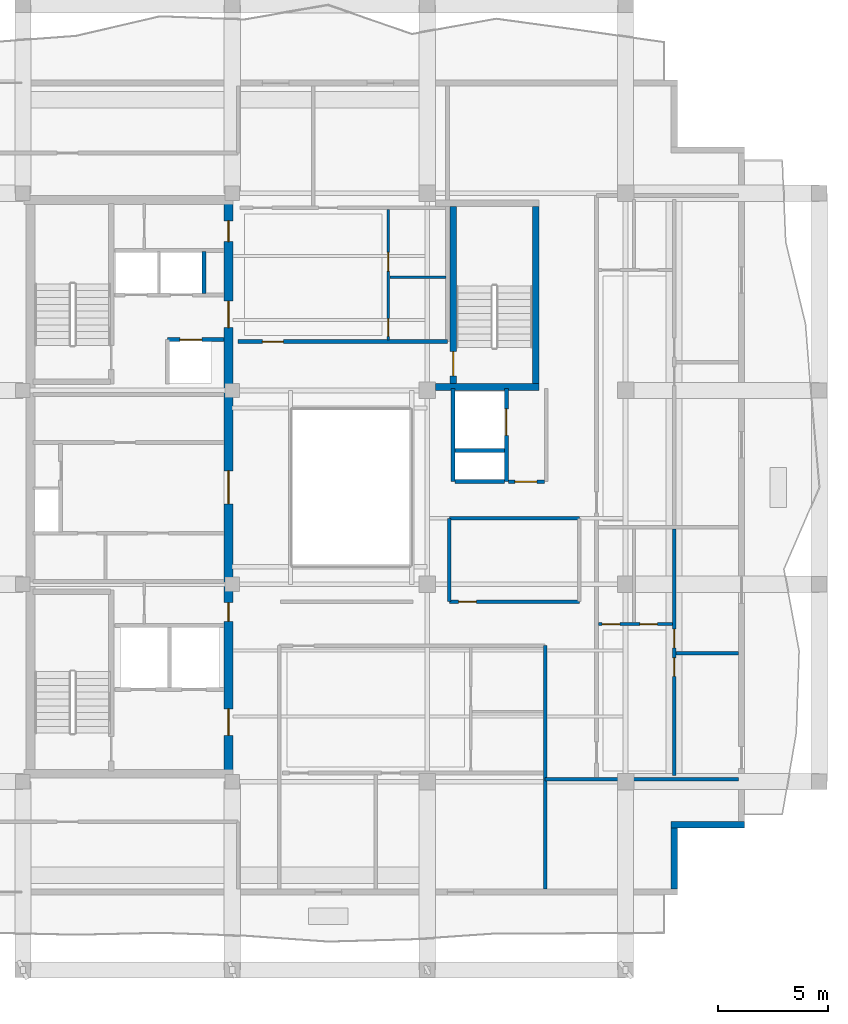
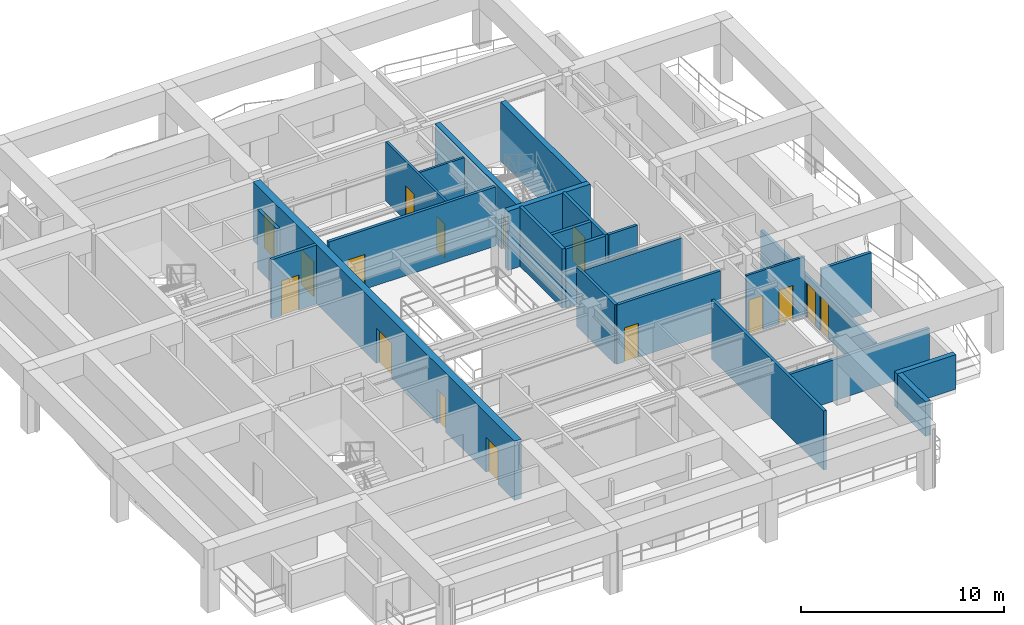
# One storey, part 4 of 10: 24 walls, 17 doors, 17 openings.
"""IFC4 building model written with IfcOpenShell, lengths in metres."""

from ifc_helpers import new_model, si_unit, direction, frame, frame_2d, origin, place, context, subcontext, project, spatial, rectangle, extrude, material, layer, layer_set, type_object, element, fill, save


model = new_model("IFC4")

# Units and contexts
model_context = context("Model", 3, precision=1e-05, world=origin(), true_north=direction((0.0, 1.0)))
body_context = subcontext(model_context, "Body", "Model", "MODEL_VIEW")
ifc_project = project(units=[si_unit("LENGTHUNIT", "METRE"), si_unit("AREAUNIT", "SQUARE_METRE"), si_unit("VOLUMEUNIT", "CUBIC_METRE"), si_unit("PLANEANGLEUNIT", "RADIAN"), si_unit("MASSUNIT", "GRAM", prefix="KILO")], contexts=[model_context])

# Site, building, storey
site_placement = place(None, origin())
site = spatial("IfcSite", under=ifc_project, at=site_placement, CompositionType="ELEMENT")
building_placement = place(site_placement, origin())
building = spatial("IfcBuilding", under=site, at=building_placement, Name="Kundavana Baori Tower", CompositionType="ELEMENT")
storey_placement = place(building_placement, frame((0.0, 0.0, 323.89990234375)))
storey = spatial("IfcBuildingStorey", under=building, at=storey_placement, Name="L80", CompositionType="ELEMENT", Elevation=323.89990234375)

# Wall, openings, doors
ifc_material_1 = material(Name="Concrete C50/60", Category="concrete")
ifc_layer_1 = layer(ifc_material_1, 0.39990234375, Name="WL-CORE-400")
ifc_layer_set_1 = layer_set([ifc_layer_1], Name="Concrete C50/60")
wall_type_1 = type_object("IfcWallType", Name="WL-CORE-400", PredefinedType="SHEAR", material=ifc_layer_set_1)
wall_1_placement = place(storey_placement, frame((24.780029296875, 15.739990234375, 0.0), z_axis=(0.0, 0.0, 1.0), x_axis=(0.0, 1.0, 0.0)))
wall_1 = element("IfcWall", 1, at=wall_1_placement, inside=storey, type_object=wall_type_1, Name="L80 Offset Core East Shear Wall", PredefinedType="SHEAR", context=body_context, shape_type="SweptSolid", body=[
    extrude(rectangle(XDim=25.760009765625, YDim=0.39990234375, at=frame_2d((12.8798828125, 0.0))), origin(), (0.0, 0.0, 1.0), 3.56005859375),
])
opening_1_placement = place(wall_1_placement, frame((1.610107421875, 0.0, 0.0)))
opening_1 = element("IfcOpeningElement", 2, at=opening_1_placement, cuts=wall_1, Name="Opening FD-120", PredefinedType="OPENING", context=body_context, shape_type="SweptSolid", body=[
    extrude(rectangle(XDim=1.199951171875, YDim=2.10009765625, at=frame_2d((0.60009765625, 1.050048828125))), frame((0.0, 0.2099609375, 0.0), z_axis=(0.0, -1.0, 0.0), x_axis=(1.0, 0.0, 0.0)), (0.0, 0.0, 1.0), 0.419921875),
])
opening_2_placement = place(wall_1_placement, frame((6.780029296875, 0.0, 0.0)))
opening_2 = element("IfcOpeningElement", 3, at=opening_2_placement, cuts=wall_1, Name="Opening FD-085", PredefinedType="OPENING", context=body_context, shape_type="SweptSolid", body=[
    extrude(rectangle(XDim=0.85009765625, YDim=2.06005859375, at=frame_2d((0.425048828125, 1.030029296875))), frame((0.0, 0.2099609375, 0.0), z_axis=(0.0, -1.0, 0.0), x_axis=(1.0, 0.0, 0.0)), (0.0, 0.0, 1.0), 0.419921875),
])
opening_3_placement = place(wall_1_placement, frame((12.110107421875, 0.0, 0.0)))
opening_3 = element("IfcOpeningElement", 4, at=opening_3_placement, cuts=wall_1, Name="Opening FD-150", PredefinedType="OPENING", context=body_context, shape_type="SweptSolid", body=[
    extrude(rectangle(XDim=1.5, YDim=2.1201171875, at=frame_2d((0.75, 1.06005859375))), frame((0.0, 0.2099609375, 0.0), z_axis=(0.0, -1.0, 0.0), x_axis=(1.0, 0.0, 0.0)), (0.0, 0.0, 1.0), 0.419921875),
])
opening_4_placement = place(wall_1_placement, frame((20.110107421875, 0.0, 0.0)))
opening_4 = element("IfcOpeningElement", 5, at=opening_4_placement, cuts=wall_1, Name="Opening FD-122", PredefinedType="OPENING", context=body_context, shape_type="SweptSolid", body=[
    extrude(rectangle(XDim=1.199951171875, YDim=2.1201171875, at=frame_2d((0.60009765625, 1.06005859375))), frame((0.0, 0.2099609375, 0.0), z_axis=(0.0, -1.0, 0.0), x_axis=(1.0, 0.0, 0.0)), (0.0, 0.0, 1.0), 0.419921875),
])
opening_5_placement = place(wall_1_placement, frame((24.010009765625, 0.0, 0.0)))
opening_5 = element("IfcOpeningElement", 6, at=opening_5_placement, cuts=wall_1, Name="Opening FD-095", PredefinedType="OPENING", context=body_context, shape_type="SweptSolid", body=[
    extrude(rectangle(XDim=0.949951171875, YDim=2.10009765625, at=frame_2d((0.47509765625, 1.050048828125))), frame((0.0, 0.2099609375, 0.0), z_axis=(0.0, -1.0, 0.0), x_axis=(1.0, 0.0, 0.0)), (0.0, 0.0, 1.0), 0.419921875),
])
ifc_material_2 = material(Name="Galvanised Steel Fire-Rated Door Leaf", Category="steel")
door_type_1 = type_object("IfcDoorType", Name="DR-FD120-1200", OperationType="NOTDEFINED", PredefinedType="DOOR", material=ifc_material_2)
door_1_placement = place(opening_1_placement, frame((1.199951171875, 0.0, 0.0), z_axis=(0.0, 0.0, 1.0), x_axis=(-1.0, 0.0, 0.0)))
door_1 = element("IfcDoor", 7, at=door_1_placement, inside=storey, type_object=door_type_1, Name="DR-L80-FFLOB-E", OperationType="SINGLE_SWING_RIGHT", OverallHeight=2.10009765625, OverallWidth=1.199951171875, PredefinedType="DOOR", context=body_context, shape_type="SweptSolid", body=[
    extrude(rectangle(XDim=1.199951171875, YDim=2.10009765625, at=frame_2d((0.60009765625, 1.050048828125))), frame((0.0, 0.02490234375, 0.0), z_axis=(0.0, -1.0, 0.0), x_axis=(1.0, 0.0, 0.0)), (0.0, 0.0, 1.0), 0.050048828125),
])
fill(opening_1, door_1)
ifc_material_3 = material(Name="Galvanised Steel Fire-Rated Door Leaf", Category="steel")
door_type_2 = type_object("IfcDoorType", Name="DR-FD60-1200", OperationType="NOTDEFINED", PredefinedType="DOOR", material=ifc_material_3)
door_2_placement = place(opening_4_placement, frame((1.199951171875, 0.0, 0.0), z_axis=(0.0, 0.0, 1.0), x_axis=(-1.0, 0.0, 0.0)))
door_2 = element("IfcDoor", 8, at=door_2_placement, inside=storey, type_object=door_type_2, Name="DR-L80-HRLOB-E", OperationType="SINGLE_SWING_RIGHT", OverallHeight=2.1201171875, OverallWidth=1.199951171875, PredefinedType="DOOR", context=body_context, shape_type="SweptSolid", body=[
    extrude(rectangle(XDim=1.199951171875, YDim=2.1201171875, at=frame_2d((0.60009765625, 1.06005859375))), frame((0.0, 0.02490234375, 0.0), z_axis=(0.0, -1.0, 0.0), x_axis=(1.0, 0.0, 0.0)), (0.0, 0.0, 1.0), 0.050048828125),
])
fill(opening_4, door_2)
ifc_material_4 = material(Name="Galvanised Steel Fire-Rated Door Leaf", Category="steel")
door_type_3 = type_object("IfcDoorType", Name="DR-FD60-1500", OperationType="NOTDEFINED", PredefinedType="DOOR", material=ifc_material_4)
door_3_placement = place(opening_3_placement, frame((1.5, 0.0, 0.0), z_axis=(0.0, 0.0, 1.0), x_axis=(-1.0, 0.0, 0.0)))
door_3 = element("IfcDoor", 9, at=door_3_placement, inside=storey, type_object=door_type_3, Name="DR-L80-LIFTHALL-E", OperationType="SINGLE_SWING_LEFT", OverallHeight=2.1201171875, OverallWidth=1.5, PredefinedType="DOOR", context=body_context, shape_type="SweptSolid", body=[
    extrude(rectangle(XDim=1.5, YDim=2.1201171875, at=frame_2d((0.75, 1.06005859375))), frame((0.0, 0.02490234375, 0.0), z_axis=(0.0, -1.0, 0.0), x_axis=(1.0, 0.0, 0.0)), (0.0, 0.0, 1.0), 0.050048828125),
])
fill(opening_3, door_3)
ifc_material_5 = material(Name="Galvanised Steel Fire-Rated Door Leaf", Category="steel")
door_type_4 = type_object("IfcDoorType", Name="DR-FD60-850", OperationType="NOTDEFINED", PredefinedType="DOOR", material=ifc_material_5)
door_4_placement = place(opening_2_placement, frame((0.85009765625, 0.0, 0.0), z_axis=(0.0, 0.0, 1.0), x_axis=(-1.0, 0.0, 0.0)))
door_4 = element("IfcDoor", 10, at=door_4_placement, inside=storey, type_object=door_type_4, Name="DR-L80-CSMK2", OperationType="SINGLE_SWING_LEFT", OverallHeight=2.06005859375, OverallWidth=0.85009765625, PredefinedType="DOOR", context=body_context, shape_type="SweptSolid", body=[
    extrude(rectangle(XDim=0.85009765625, YDim=2.06005859375, at=frame_2d((0.425048828125, 1.030029296875))), frame((0.0, 0.02490234375, 0.0), z_axis=(0.0, -1.0, 0.0), x_axis=(1.0, 0.0, 0.0)), (0.0, 0.0, 1.0), 0.050048828125),
])
fill(opening_2, door_4)
ifc_material_6 = material(Name="Engineered Teak Fire-Rated Timber Door Leaf", Category="wood")
door_type_5 = type_object("IfcDoorType", Name="DR-FD60-950", OperationType="NOTDEFINED", PredefinedType="DOOR", material=ifc_material_6)
door_5_placement = place(opening_5_placement, frame((0.949951171875, 0.0, 0.0), z_axis=(0.0, 0.0, 1.0), x_axis=(-1.0, 0.0, 0.0)))
door_5 = element("IfcDoor", 11, at=door_5_placement, inside=storey, type_object=door_type_5, Name="DR-L80-CSRV2", OperationType="SINGLE_SWING_LEFT", OverallHeight=2.10009765625, OverallWidth=0.949951171875, PredefinedType="DOOR", context=body_context, shape_type="SweptSolid", body=[
    extrude(rectangle(XDim=0.949951171875, YDim=2.10009765625, at=frame_2d((0.47509765625, 1.050048828125))), frame((0.0, 0.02490234375, 0.0), z_axis=(0.0, -1.0, 0.0), x_axis=(1.0, 0.0, 0.0)), (0.0, 0.0, 1.0), 0.050048828125),
])
fill(opening_5, door_5)

# Walls
ifc_material_7 = material(Name="Red-Buff Dholpur Sandstone Cladding on Concrete C40/50", Category="masonry")
ifc_layer_2 = layer(ifc_material_7, 0.280029296875, Name="WL-EXT-SAND-280")
ifc_layer_set_2 = layer_set([ifc_layer_2], Name="Red-Buff Dholpur Sandstone Cladding on Concrete C40/50")
wall_type_2 = type_object("IfcWallType", Name="WL-EXT-SAND-280", PredefinedType="STANDARD", material=ifc_layer_set_2)
wall_2_placement = place(storey_placement, frame((45.010009765625, 10.3798828125, 0.0), z_axis=(0.0, 0.0, 1.0), x_axis=(0.0, 1.0, 0.0)))
element("IfcWall", 12, at=wall_2_placement, inside=storey, type_object=wall_type_2, Name="L80 Exterior Insulated Facade Wall 02", PredefinedType="STANDARD", context=body_context, shape_type="SweptSolid", body=[
    extrude(rectangle(XDim=2.77001953125, YDim=0.280029296875, at=frame_2d((1.385009765625, 0.0))), origin(), (0.0, 0.0, 1.0), 2.080078125),
])
wall_3_placement = place(storey_placement, frame((44.8701171875, 13.2900390625, 0.0), z_axis=(0.0, 0.0, 1.0), x_axis=(1.0, 0.0, 0.0)))
element("IfcWall", 13, at=wall_3_placement, inside=storey, type_object=wall_type_2, Name="L80 Exterior Insulated Facade Wall 03", PredefinedType="STANDARD", context=body_context, shape_type="SweptSolid", body=[
    extrude(rectangle(XDim=3.329833984375, YDim=0.280029296875, at=frame_2d((1.6650390625, 0.0))), origin(), (0.0, 0.0, 1.0), 2.080078125),
])

# Wall, opening, door
ifc_material_8 = material(Name="Fire-Rated Gypsum Drywall on Galvanised Steel Studs", Category="steel")
ifc_layer_3 = layer(ifc_material_8, 0.14990234375, Name="WL-PART-150")
ifc_layer_set_3 = layer_set([ifc_layer_3], Name="Fire-Rated Gypsum Drywall on Galvanised Steel Studs")
wall_type_3 = type_object("IfcWallType", Name="WL-PART-150", PredefinedType="PARTITIONING", material=ifc_layer_set_3)
wall_4_placement = place(storey_placement, frame((37.47998046875, 28.860107421875, 0.0), z_axis=(0.0, 0.0, 1.0), x_axis=(1.0, 0.0, 0.0)))
wall_4 = element("IfcWall", 14, at=wall_4_placement, inside=storey, type_object=wall_type_3, Name="WL-L80-SVLOB-S", PredefinedType="PARTITIONING", context=body_context, shape_type="SweptSolid", body=[
    extrude(rectangle(XDim=1.64013671875, YDim=0.14990234375, at=frame_2d((0.820068359375, 0.0))), origin(), (0.0, 0.0, 1.0), 3.56005859375),
])
opening_6_placement = place(wall_4_placement, frame((0.300048828125, 0.0, 0.0)))
opening_6 = element("IfcOpeningElement", 15, at=opening_6_placement, cuts=wall_4, Name="Opening FD-100", PredefinedType="OPENING", context=body_context, shape_type="SweptSolid", body=[
    extrude(rectangle(XDim=1.0, YDim=2.10009765625, at=frame_2d((0.5, 1.050048828125))), frame((0.0, 0.0849609375, 0.0), z_axis=(0.0, -1.0, 0.0), x_axis=(1.0, 0.0, 0.0)), (0.0, 0.0, 1.0), 0.169921875),
])
ifc_material_9 = material(Name="Engineered Teak Fire-Rated Timber Door Leaf", Category="wood")
door_type_6 = type_object("IfcDoorType", Name="DR-FD60-1000", OperationType="NOTDEFINED", PredefinedType="DOOR", material=ifc_material_9)
door_6_placement = place(opening_6_placement, origin())
door_6 = element("IfcDoor", 16, at=door_6_placement, inside=storey, type_object=door_type_6, Name="DR-L80-SVLOB-OUT", OperationType="SINGLE_SWING_LEFT", OverallHeight=2.10009765625, OverallWidth=1.0, PredefinedType="DOOR", context=body_context, shape_type="SweptSolid", body=[
    extrude(rectangle(XDim=1.0, YDim=2.10009765625, at=frame_2d((0.5, 1.050048828125))), frame((0.0, 0.02490234375, 0.0), z_axis=(0.0, -1.0, 0.0), x_axis=(1.0, 0.0, 0.0)), (0.0, 0.0, 1.0), 0.050048828125),
])
fill(opening_6, door_6)

ifc_material_10 = material(Name="Fire-Rated Gypsum Drywall on Galvanised Steel Studs", Category="steel")
ifc_layer_4 = layer(ifc_material_10, 0.1650390625, Name="WL-PART-165")
ifc_layer_set_4 = layer_set([ifc_layer_4], Name="Fire-Rated Gypsum Drywall on Galvanised Steel Studs")
wall_type_4 = type_object("IfcWallType", Name="WL-PART-165", PredefinedType="PARTITIONING", material=ifc_layer_set_4)
wall_5_placement = place(storey_placement, frame((25.219970703125, 35.219970703125, 0.0), z_axis=(0.0, 0.0, 1.0), x_axis=(1.0, 0.0, 0.0)))
wall_5 = element("IfcWall", 17, at=wall_5_placement, inside=storey, type_object=wall_type_4, Name="WL-L80-RN", PredefinedType="PARTITIONING", context=body_context, shape_type="SweptSolid", body=[
    extrude(rectangle(XDim=9.5, YDim=0.1650390625, at=frame_2d((4.75, 0.0))), origin(), (0.0, 0.0, 1.0), 3.56005859375),
])
opening_7_placement = place(wall_5_placement, frame((1.10009765625, 0.0, 0.0)))
opening_7 = element("IfcOpeningElement", 18, at=opening_7_placement, cuts=wall_5, Name="Opening FD-095", PredefinedType="OPENING", context=body_context, shape_type="SweptSolid", body=[
    extrude(rectangle(XDim=0.949951171875, YDim=2.10009765625, at=frame_2d((0.47509765625, 1.050048828125))), frame((0.0, 0.092529296875, 0.0), z_axis=(0.0, -1.0, 0.0), x_axis=(1.0, 0.0, 0.0)), (0.0, 0.0, 1.0), 0.18505859375),
])
door_7_placement = place(opening_7_placement, origin())
door_7 = element("IfcDoor", 19, at=door_7_placement, inside=storey, type_object=door_type_5, Name="DR-L80-N1-ENT", OperationType="SINGLE_SWING_LEFT", OverallHeight=2.10009765625, OverallWidth=0.949951171875, PredefinedType="DOOR", context=body_context, shape_type="SweptSolid", body=[
    extrude(rectangle(XDim=0.949951171875, YDim=2.10009765625, at=frame_2d((0.47509765625, 1.050048828125))), frame((0.0, 0.02490234375, 0.0), z_axis=(0.0, -1.0, 0.0), x_axis=(1.0, 0.0, 0.0)), (0.0, 0.0, 1.0), 0.050048828125),
])
fill(opening_7, door_7)

# Walls
wall_6_placement = place(storey_placement, frame((39.14990234375, 10.3798828125, 0.0), z_axis=(0.0, 0.0, 1.0), x_axis=(0.0, 1.0, 0.0)))
element("IfcWall", 20, at=wall_6_placement, inside=storey, type_object=wall_type_4, Name="WL-L80-RSEND", PredefinedType="PARTITIONING", context=body_context, shape_type="SweptSolid", body=[
    extrude(rectangle(XDim=11.0400390625, YDim=0.1650390625, at=frame_2d((5.52001953125, 0.0))), origin(), (0.0, 0.0, 1.0), 3.56005859375),
])
wall_7_placement = place(storey_placement, frame((39.14990234375, 15.35009765625, 0.0), z_axis=(0.0, 0.0, 1.0), x_axis=(1.0, 0.0, 0.0)))
element("IfcWall", 21, at=wall_7_placement, inside=storey, type_object=wall_type_4, Name="WL-L80-RES", PredefinedType="PARTITIONING", context=body_context, shape_type="SweptSolid", body=[
    extrude(rectangle(XDim=8.77001953125, YDim=0.1650390625, at=frame_2d((4.385009765625, 0.0))), origin(), (0.0, 0.0, 1.0), 2.47998046875),
])

# Wall, openings, doors
wall_8_placement = place(storey_placement, frame((45.00390625, 15.530029296875, 0.0), z_axis=(0.0, 0.0, 1.0), x_axis=(0.0, 1.0, 0.0)))
wall_8 = element("IfcWall", 22, at=wall_8_placement, inside=storey, type_object=wall_type_4, Name="WL-L80-E1-VT", PredefinedType="PARTITIONING", context=body_context, shape_type="SweptSolid", body=[
    extrude(rectangle(XDim=11.18994140625, YDim=0.1650390625, at=frame_2d((5.594970703125, 0.0))), origin(), (0.0, 0.0, 1.0), 2.47998046875),
])
opening_8_placement = place(wall_8_placement, frame((4.489990234375, 0.0, 0.0)))
opening_8 = element("IfcOpeningElement", 23, at=opening_8_placement, cuts=wall_8, Name="Opening ID-085", PredefinedType="OPENING", context=body_context, shape_type="SweptSolid", body=[
    extrude(rectangle(XDim=0.85009765625, YDim=2.080078125, at=frame_2d((0.425048828125, 1.0400390625))), frame((0.0, 0.092529296875, 0.0), z_axis=(0.0, -1.0, 0.0), x_axis=(1.0, 0.0, 0.0)), (0.0, 0.0, 1.0), 0.18505859375),
])
opening_9_placement = place(wall_8_placement, frame((5.7900390625, 0.0, 0.0)))
opening_9 = element("IfcOpeningElement", 24, at=opening_9_placement, cuts=wall_8, Name="Opening ID-085", PredefinedType="OPENING", context=body_context, shape_type="SweptSolid", body=[
    extrude(rectangle(XDim=0.85009765625, YDim=2.080078125, at=frame_2d((0.425048828125, 1.0400390625))), frame((0.0, 0.092529296875, 0.0), z_axis=(0.0, -1.0, 0.0), x_axis=(1.0, 0.0, 0.0)), (0.0, 0.0, 1.0), 0.18505859375),
])
ifc_material_11 = material(Name="Engineered Teak Solid-Core Timber Veneer", Category="wood")
door_type_7 = type_object("IfcDoorType", Name="DR-INT-850", OperationType="NOTDEFINED", PredefinedType="DOOR", material=ifc_material_11)
door_8_placement = place(opening_8_placement, origin())
door_8 = element("IfcDoor", 25, at=door_8_placement, inside=storey, type_object=door_type_7, Name="DR-L80-E1-B1", OperationType="SINGLE_SWING_LEFT", OverallHeight=2.080078125, OverallWidth=0.85009765625, PredefinedType="DOOR", context=body_context, shape_type="SweptSolid", body=[
    extrude(rectangle(XDim=0.85009765625, YDim=2.080078125, at=frame_2d((0.425048828125, 1.0400390625))), frame((0.0, 0.02490234375, 0.0), z_axis=(0.0, -1.0, 0.0), x_axis=(1.0, 0.0, 0.0)), (0.0, 0.0, 1.0), 0.050048828125),
])
fill(opening_8, door_8)
door_9_placement = place(opening_9_placement, origin())
door_9 = element("IfcDoor", 26, at=door_9_placement, inside=storey, type_object=door_type_7, Name="DR-L80-E1-B2", OperationType="SINGLE_SWING_RIGHT", OverallHeight=2.080078125, OverallWidth=0.85009765625, PredefinedType="DOOR", context=body_context, shape_type="SweptSolid", body=[
    extrude(rectangle(XDim=0.85009765625, YDim=2.080078125, at=frame_2d((0.425048828125, 1.0400390625))), frame((0.0, 0.02490234375, 0.0), z_axis=(0.0, -1.0, 0.0), x_axis=(1.0, 0.0, 0.0)), (0.0, 0.0, 1.0), 0.050048828125),
])
fill(opening_9, door_9)

# Wall
wall_9_placement = place(storey_placement, frame((45.083984375, 21.070068359375, 0.0), z_axis=(0.0, 0.0, 1.0), x_axis=(1.0, 0.0, 0.0)))
element("IfcWall", 27, at=wall_9_placement, inside=storey, type_object=wall_type_4, Name="WL-L80-E1-BDH", PredefinedType="PARTITIONING", context=body_context, shape_type="SweptSolid", body=[
    extrude(rectangle(XDim=2.8359375, YDim=0.1650390625, at=frame_2d((1.41796875, 0.0))), origin(), (0.0, 0.0, 1.0), 3.56005859375),
])

# Wall, opening, door
wall_10_placement = place(storey_placement, frame((34.800048828125, 23.419921875, 0.0), z_axis=(0.0, 0.0, 1.0), x_axis=(1.0, 0.0, 0.0)))
wall_10 = element("IfcWall", 28, at=wall_10_placement, inside=storey, type_object=wall_type_4, Name="WL-L80-ALS", PredefinedType="PARTITIONING", context=body_context, shape_type="SweptSolid", body=[
    extrude(rectangle(XDim=5.89990234375, YDim=0.1650390625, at=frame_2d((2.949951171875, 0.0))), origin(), (0.0, 0.0, 1.0), 3.56005859375),
])
opening_10_placement = place(wall_10_placement, frame((0.429931640625, 0.0, 0.0)))
opening_10 = element("IfcOpeningElement", 29, at=opening_10_placement, cuts=wall_10, Name="Opening WD-080", PredefinedType="OPENING", context=body_context, shape_type="SweptSolid", body=[
    extrude(rectangle(XDim=0.800048828125, YDim=2.050048828125, at=frame_2d((0.39990234375, 1.02490234375))), frame((0.0, 0.092529296875, 0.0), z_axis=(0.0, -1.0, 0.0), x_axis=(1.0, 0.0, 0.0)), (0.0, 0.0, 1.0), 0.18505859375),
])
ifc_material_12 = material(Name="Engineered Teak Solid-Core Timber Veneer", Category="wood")
door_type_8 = type_object("IfcDoorType", Name="DR-WET-800", OperationType="NOTDEFINED", PredefinedType="DOOR", material=ifc_material_12)
door_10_placement = place(opening_10_placement, origin())
door_10 = element("IfcDoor", 30, at=door_10_placement, inside=storey, type_object=door_type_8, Name="DR-L80-RALC1", OperationType="SINGLE_SWING_LEFT", OverallHeight=2.050048828125, OverallWidth=0.800048828125, PredefinedType="DOOR", context=body_context, shape_type="SweptSolid", body=[
    extrude(rectangle(XDim=0.800048828125, YDim=2.050048828125, at=frame_2d((0.39990234375, 1.02490234375))), frame((0.0, 0.02490234375, 0.0), z_axis=(0.0, -1.0, 0.0), x_axis=(1.0, 0.0, 0.0)), (0.0, 0.0, 1.0), 0.050048828125),
])
fill(opening_10, door_10)

# Walls
wall_11_placement = place(storey_placement, frame((34.800048828125, 27.199951171875, 0.0), z_axis=(0.0, 0.0, 1.0), x_axis=(1.0, 0.0, 0.0)))
element("IfcWall", 31, at=wall_11_placement, inside=storey, type_object=wall_type_4, Name="WL-L80-ALN", PredefinedType="PARTITIONING", context=body_context, shape_type="SweptSolid", body=[
    extrude(rectangle(XDim=5.89990234375, YDim=0.1650390625, at=frame_2d((2.949951171875, 0.0))), origin(), (0.0, 0.0, 1.0), 3.260009765625),
])
wall_12_placement = place(storey_placement, frame((34.800048828125, 23.419921875, 0.0), z_axis=(0.0, 0.0, 1.0), x_axis=(0.0, 1.0, 0.0)))
element("IfcWall", 32, at=wall_12_placement, inside=storey, type_object=wall_type_4, Name="WL-L80-ALW", PredefinedType="PARTITIONING", context=body_context, shape_type="SweptSolid", body=[
    extrude(rectangle(XDim=3.780029296875, YDim=0.1650390625, at=frame_2d((1.89013671875, 0.0))), origin(), (0.0, 0.0, 1.0), 3.56005859375),
])

# Wall, opening, door
ifc_material_13 = material(Name="Autoclaved Aerated Concrete Blockwork Masonry", Category="masonry")
ifc_layer_5 = layer(ifc_material_13, 0.179931640625, Name="WL-SHAFT-180")
ifc_layer_set_5 = layer_set([ifc_layer_5], Name="Autoclaved Aerated Concrete Blockwork Masonry")
wall_type_5 = type_object("IfcWallType", Name="WL-SHAFT-180", PredefinedType="SOLIDWALL", material=ifc_layer_set_5)
wall_13_placement = place(storey_placement, frame((22.02001953125, 35.31005859375, 0.0), z_axis=(0.0, 0.0, 1.0), x_axis=(1.0, 0.0, 0.0)))
wall_13 = element("IfcWall", 33, at=wall_13_placement, inside=storey, type_object=wall_type_5, Name="WL-L80-LP11-N", PredefinedType="SOLIDWALL", context=body_context, shape_type="SweptSolid", body=[
    extrude(rectangle(XDim=2.56005859375, YDim=0.179931640625, at=frame_2d((1.280029296875, 0.0))), origin(), (0.0, 0.0, 1.0), 3.56005859375),
])
opening_11_placement = place(wall_13_placement, frame((0.550048828125, 0.0, 0.0)))
opening_11 = element("IfcOpeningElement", 34, at=opening_11_placement, cuts=wall_13, Name="Opening LD-100", PredefinedType="OPENING", context=body_context, shape_type="SweptSolid", body=[
    extrude(rectangle(XDim=1.0, YDim=2.10009765625, at=frame_2d((0.5, 1.050048828125))), frame((0.0, 0.10009765625, 0.0), z_axis=(0.0, -1.0, 0.0), x_axis=(1.0, 0.0, 0.0)), (0.0, 0.0, 1.0), 0.199951171875),
])
ifc_material_14 = material(Name="Galvanised Steel Fire-Rated Door Leaf", Category="steel")
door_type_9 = type_object("IfcDoorType", Name="DR-SLIDE-LD1000", OperationType="NOTDEFINED", PredefinedType="DOOR", material=ifc_material_14)
door_11_placement = place(opening_11_placement, origin())
door_11 = element("IfcDoor", 35, at=door_11_placement, inside=storey, type_object=door_type_9, Name="DR-L80-LD-LP11", OperationType="DOUBLE_DOOR_SLIDING", OverallHeight=2.10009765625, OverallWidth=1.0, PredefinedType="DOOR", context=body_context, shape_type="SweptSolid", body=[
    extrude(rectangle(XDim=1.0, YDim=2.10009765625, at=frame_2d((0.5, 1.050048828125))), frame((0.0, 0.02490234375, 0.0), z_axis=(0.0, -1.0, 0.0), x_axis=(1.0, 0.0, 0.0)), (0.0, 0.0, 1.0), 0.050048828125),
])
fill(opening_11, door_11)

# Walls
wall_14_placement = place(storey_placement, frame((23.659912109375, 37.39990234375, 0.0), z_axis=(0.0, 0.0, 1.0), x_axis=(0.0, 1.0, 0.0)))
element("IfcWall", 36, at=wall_14_placement, inside=storey, type_object=wall_type_5, Name="WL-L80-HR-DIV2", PredefinedType="SOLIDWALL", context=body_context, shape_type="SweptSolid", body=[
    extrude(rectangle(XDim=1.900146484375, YDim=0.179931640625, at=frame_2d((0.9501953125, 0.0))), origin(), (0.0, 0.0, 1.0), 3.56005859375),
])
wall_15_placement = place(storey_placement, frame((34.9599609375, 28.860107421875, 0.0), z_axis=(0.0, 0.0, 1.0), x_axis=(0.0, 1.0, 0.0)))
element("IfcWall", 37, at=wall_15_placement, inside=storey, type_object=wall_type_5, Name="WL-L80-SVL-W", PredefinedType="SOLIDWALL", context=body_context, shape_type="SweptSolid", body=[
    extrude(rectangle(XDim=4.219970703125, YDim=0.179931640625, at=frame_2d((2.10986328125, 0.0))), origin(), (0.0, 0.0, 1.0), 3.56005859375),
])

# Wall, opening, door
wall_16_placement = place(storey_placement, frame((37.389892578125, 28.860107421875, 0.0), z_axis=(0.0, 0.0, 1.0), x_axis=(0.0, 1.0, 0.0)))
wall_16 = element("IfcWall", 38, at=wall_16_placement, inside=storey, type_object=wall_type_5, Name="WL-L80-SVL-E", PredefinedType="SOLIDWALL", context=body_context, shape_type="SweptSolid", body=[
    extrude(rectangle(XDim=4.219970703125, YDim=0.179931640625, at=frame_2d((2.10986328125, 0.0))), origin(), (0.0, 0.0, 1.0), 3.56005859375),
])
opening_12_placement = place(wall_16_placement, frame((2.10009765625, 0.0, 0.0)))
opening_12 = element("IfcOpeningElement", 39, at=opening_12_placement, cuts=wall_16, Name="Opening LD-120", PredefinedType="OPENING", context=body_context, shape_type="SweptSolid", body=[
    extrude(rectangle(XDim=1.199951171875, YDim=2.1201171875, at=frame_2d((0.60009765625, 1.06005859375))), frame((0.0, 0.10009765625, 0.0), z_axis=(0.0, -1.0, 0.0), x_axis=(1.0, 0.0, 0.0)), (0.0, 0.0, 1.0), 0.199951171875),
])
ifc_material_15 = material(Name="Galvanised Steel Fire-Rated Door Leaf", Category="steel")
door_type_10 = type_object("IfcDoorType", Name="DR-SLIDE-LD1200", OperationType="NOTDEFINED", PredefinedType="DOOR", material=ifc_material_15)
door_12_placement = place(opening_12_placement, frame((1.199951171875, 0.0, 0.0), z_axis=(0.0, 0.0, 1.0), x_axis=(-1.0, 0.0, 0.0)))
door_12 = element("IfcDoor", 40, at=door_12_placement, inside=storey, type_object=door_type_10, Name="DR-L80-LD-SVL1", OperationType="DOUBLE_DOOR_SLIDING", OverallHeight=2.1201171875, OverallWidth=1.199951171875, PredefinedType="DOOR", context=body_context, shape_type="SweptSolid", body=[
    extrude(rectangle(XDim=1.199951171875, YDim=2.1201171875, at=frame_2d((0.60009765625, 1.06005859375))), frame((0.0, 0.02490234375, 0.0), z_axis=(0.0, -1.0, 0.0), x_axis=(1.0, 0.0, 0.0)), (0.0, 0.0, 1.0), 0.050048828125),
])
fill(opening_12, door_12)

# Walls
for number, where, z_axis, x_axis, name in (
    (41, (35.050048828125, 28.860107421875, 0.0), (0.0, 0.0, 1.0), (1.0, 0.0, 0.0), "WL-L80-SVL-S"),
    (42, (35.050048828125, 30.27001953125, 0.0), (0.0, 0.0, 1.0), (1.0, 0.0, 0.0), "WL-L80-SVL-M"),
):
    element("IfcWall", number, at=place(storey_placement, frame(where, z_axis=z_axis, x_axis=x_axis)), inside=storey, type_object=wall_type_5, Name=name, PredefinedType="SOLIDWALL", context=body_context, shape_type="SweptSolid", body=[
        extrude(rectangle(XDim=2.25, YDim=0.179931640625, at=frame_2d((1.125, 0.0))), origin(), (0.0, 0.0, 1.0), 3.56005859375),
    ])
ifc_material_16 = material(Name="Concrete C50/60", Category="concrete")
ifc_layer_6 = layer(ifc_material_16, 0.300048828125, Name="WL-ST3-300")
ifc_layer_set_6 = layer_set([ifc_layer_6], Name="Concrete C50/60")
wall_type_6 = type_object("IfcWallType", Name="WL-ST3-300", PredefinedType="SHEAR", material=ifc_layer_set_6)
wall_17_placement = place(storey_placement, frame((34.175048828125, 33.159912109375, 0.0), z_axis=(0.0, 0.0, 1.0), x_axis=(1.0, 0.0, 0.0)))
element("IfcWall", 43, at=wall_17_placement, inside=storey, type_object=wall_type_6, Name="L80 Stair ST3 South Shear Wall", PredefinedType="SHEAR", context=body_context, shape_type="SweptSolid", body=[
    extrude(rectangle(XDim=4.695068359375, YDim=0.300048828125, at=frame_2d((2.34765625, 0.0))), origin(), (0.0, 0.0, 1.0), 3.56005859375),
])

# Wall, opening, door
wall_18_placement = place(storey_placement, frame((34.97998046875, 33.31005859375, 0.0), z_axis=(0.0, 0.0, 1.0), x_axis=(0.0, 1.0, 0.0)))
wall_18 = element("IfcWall", 44, at=wall_18_placement, inside=storey, type_object=wall_type_6, Name="L80 Stair ST3 West Shear Wall", PredefinedType="SHEAR", context=body_context, shape_type="SweptSolid", body=[
    extrude(rectangle(XDim=8.030029296875, YDim=0.300048828125, at=frame_2d((4.01513671875, 0.0))), origin(), (0.0, 0.0, 1.0), 3.56005859375),
])
opening_13_placement = place(wall_18_placement, frame((0.35009765625, 0.0, 0.0)))
opening_13 = element("IfcOpeningElement", 45, at=opening_13_placement, cuts=wall_18, Name="Opening FD-110", PredefinedType="OPENING", context=body_context, shape_type="SweptSolid", body=[
    extrude(rectangle(XDim=1.10009765625, YDim=2.10009765625, at=frame_2d((0.550048828125, 1.050048828125))), frame((0.0, 0.16015625, 0.0), z_axis=(0.0, -1.0, 0.0), x_axis=(1.0, 0.0, 0.0)), (0.0, 0.0, 1.0), 0.320068359375),
])
ifc_material_17 = material(Name="Galvanised Steel Fire-Rated Door Leaf", Category="steel")
door_type_11 = type_object("IfcDoorType", Name="DR-FD120-1100", OperationType="NOTDEFINED", PredefinedType="DOOR", material=ifc_material_17)
door_13_placement = place(opening_13_placement, origin())
door_13 = element("IfcDoor", 46, at=door_13_placement, inside=storey, type_object=door_type_11, Name="DR-L80-ST3-W", OperationType="SINGLE_SWING_LEFT", OverallHeight=2.10009765625, OverallWidth=1.10009765625, PredefinedType="DOOR", context=body_context, shape_type="SweptSolid", body=[
    extrude(rectangle(XDim=1.10009765625, YDim=2.10009765625, at=frame_2d((0.550048828125, 1.050048828125))), frame((0.0, 0.02490234375, 0.0), z_axis=(0.0, -1.0, 0.0), x_axis=(1.0, 0.0, 0.0)), (0.0, 0.0, 1.0), 0.050048828125),
])
fill(opening_13, door_13)

# Wall
wall_19_placement = place(storey_placement, frame((38.719970703125, 33.31005859375, 0.0), z_axis=(0.0, 0.0, 1.0), x_axis=(0.0, 1.0, 0.0)))
element("IfcWall", 47, at=wall_19_placement, inside=storey, type_object=wall_type_6, Name="L80 Stair ST3 East Shear Wall", PredefinedType="SHEAR", context=body_context, shape_type="SweptSolid", body=[
    extrude(rectangle(XDim=8.030029296875, YDim=0.300048828125, at=frame_2d((4.01513671875, 0.0))), origin(), (0.0, 0.0, 1.0), 3.56005859375),
])

# Wall, openings, doors
ifc_material_18 = material(Name="Autoclaved Aerated Concrete Blockwork Masonry", Category="masonry")
ifc_layer_7 = layer(ifc_material_18, 0.125, Name="WL-WET-120")
ifc_layer_set_7 = layer_set([ifc_layer_7], Name="Autoclaved Aerated Concrete Blockwork Masonry")
wall_type_7 = type_object("IfcWallType", Name="WL-WET-120", PredefinedType="PLUMBINGWALL", material=ifc_layer_set_7)
wall_20_placement = place(storey_placement, frame((32.02490234375, 35.300048828125, 0.0), z_axis=(0.0, 0.0, 1.0), x_axis=(0.0, 1.0, 0.0)))
wall_20 = element("IfcWall", 48, at=wall_20_placement, inside=storey, type_object=wall_type_7, Name="WL-L80-N1-KT", PredefinedType="PLUMBINGWALL", context=body_context, shape_type="SweptSolid", body=[
    extrude(rectangle(XDim=5.909912109375, YDim=0.125, at=frame_2d((2.955078125, 0.0))), origin(), (0.0, 0.0, 1.0), 3.56005859375),
])
opening_14_placement = place(wall_20_placement, frame((0.159912109375, 0.0, 0.0)))
opening_14 = element("IfcOpeningElement", 49, at=opening_14_placement, cuts=wall_20, Name="Opening WD-080", PredefinedType="OPENING", context=body_context, shape_type="SweptSolid", body=[
    extrude(rectangle(XDim=0.800048828125, YDim=2.050048828125, at=frame_2d((0.39990234375, 1.02490234375))), frame((0.0, 0.072509765625, 0.0), z_axis=(0.0, -1.0, 0.0), x_axis=(1.0, 0.0, 0.0)), (0.0, 0.0, 1.0), 0.14501953125),
])
opening_15_placement = place(wall_20_placement, frame((3.116943359375, 0.0, 0.0)))
opening_15 = element("IfcOpeningElement", 50, at=opening_15_placement, cuts=wall_20, Name="Opening ID-085", PredefinedType="OPENING", context=body_context, shape_type="SweptSolid", body=[
    extrude(rectangle(XDim=0.85009765625, YDim=2.080078125, at=frame_2d((0.425048828125, 1.0400390625))), frame((0.0, 0.072509765625, 0.0), z_axis=(0.0, -1.0, 0.0), x_axis=(1.0, 0.0, 0.0)), (0.0, 0.0, 1.0), 0.14501953125),
])
door_14_placement = place(opening_15_placement, origin())
door_14 = element("IfcDoor", 51, at=door_14_placement, inside=storey, type_object=door_type_7, Name="DR-L80-N1-KT", OperationType="SINGLE_SWING_RIGHT", OverallHeight=2.080078125, OverallWidth=0.85009765625, PredefinedType="DOOR", context=body_context, shape_type="SweptSolid", body=[
    extrude(rectangle(XDim=0.85009765625, YDim=2.080078125, at=frame_2d((0.425048828125, 1.0400390625))), frame((0.0, 0.02490234375, 0.0), z_axis=(0.0, -1.0, 0.0), x_axis=(1.0, 0.0, 0.0)), (0.0, 0.0, 1.0), 0.050048828125),
])
fill(opening_15, door_14)
door_15_placement = place(opening_14_placement, origin())
door_15 = element("IfcDoor", 52, at=door_15_placement, inside=storey, type_object=door_type_8, Name="DR-L80-N1-BT", OperationType="SINGLE_SWING_LEFT", OverallHeight=2.050048828125, OverallWidth=0.800048828125, PredefinedType="DOOR", context=body_context, shape_type="SweptSolid", body=[
    extrude(rectangle(XDim=0.800048828125, YDim=2.050048828125, at=frame_2d((0.39990234375, 1.02490234375))), frame((0.0, 0.02490234375, 0.0), z_axis=(0.0, -1.0, 0.0), x_axis=(1.0, 0.0, 0.0)), (0.0, 0.0, 1.0), 0.050048828125),
])
fill(opening_14, door_15)

# Wall
wall_21_placement = place(storey_placement, frame((32.10498046875, 38.136962890625, 0.0), z_axis=(0.0, 0.0, 1.0), x_axis=(1.0, 0.0, 0.0)))
element("IfcWall", 53, at=wall_21_placement, inside=storey, type_object=wall_type_7, Name="WL-L80-N1-BT", PredefinedType="PLUMBINGWALL", context=body_context, shape_type="SweptSolid", body=[
    extrude(rectangle(XDim=2.534912109375, YDim=0.125, at=frame_2d((1.267578125, 0.0))), origin(), (0.0, 0.0, 1.0), 3.56005859375),
])

# Wall, openings, doors
wall_22_placement = place(storey_placement, frame((41.580078125, 22.39990234375, 0.0), z_axis=(0.0, 0.0, 1.0), x_axis=(1.0, 0.0, 0.0)))
wall_22 = element("IfcWall", 54, at=wall_22_placement, inside=storey, type_object=wall_type_7, Name="WL-L80-E1-KH", PredefinedType="PLUMBINGWALL", context=body_context, shape_type="SweptSolid", body=[
    extrude(rectangle(XDim=3.343994140625, YDim=0.125, at=frame_2d((1.671875, 0.0))), origin(), (0.0, 0.0, 1.0), 3.56005859375),
])
opening_16_placement = place(wall_22_placement, frame((0.159912109375, 0.0, 0.0)))
opening_16 = element("IfcOpeningElement", 55, at=opening_16_placement, cuts=wall_22, Name="Opening WD-080", PredefinedType="OPENING", context=body_context, shape_type="SweptSolid", body=[
    extrude(rectangle(XDim=0.800048828125, YDim=2.050048828125, at=frame_2d((0.39990234375, 1.02490234375))), frame((0.0, 0.072509765625, 0.0), z_axis=(0.0, -1.0, 0.0), x_axis=(1.0, 0.0, 0.0)), (0.0, 0.0, 1.0), 0.14501953125),
])
opening_17_placement = place(wall_22_placement, frame((1.864990234375, 0.0, 0.0)))
opening_17 = element("IfcOpeningElement", 56, at=opening_17_placement, cuts=wall_22, Name="Opening WD-080", PredefinedType="OPENING", context=body_context, shape_type="SweptSolid", body=[
    extrude(rectangle(XDim=0.800048828125, YDim=2.050048828125, at=frame_2d((0.39990234375, 1.02490234375))), frame((0.0, 0.072509765625, 0.0), z_axis=(0.0, -1.0, 0.0), x_axis=(1.0, 0.0, 0.0)), (0.0, 0.0, 1.0), 0.14501953125),
])
door_16_placement = place(opening_16_placement, origin())
door_16 = element("IfcDoor", 57, at=door_16_placement, inside=storey, type_object=door_type_8, Name="DR-L80-E1-BT", OperationType="SINGLE_SWING_LEFT", OverallHeight=2.050048828125, OverallWidth=0.800048828125, PredefinedType="DOOR", context=body_context, shape_type="SweptSolid", body=[
    extrude(rectangle(XDim=0.800048828125, YDim=2.050048828125, at=frame_2d((0.39990234375, 1.02490234375))), frame((0.0, 0.02490234375, 0.0), z_axis=(0.0, -1.0, 0.0), x_axis=(1.0, 0.0, 0.0)), (0.0, 0.0, 1.0), 0.050048828125),
])
fill(opening_16, door_16)
door_17_placement = place(opening_17_placement, origin())
door_17 = element("IfcDoor", 58, at=door_17_placement, inside=storey, type_object=door_type_8, Name="DR-L80-E1-KT", OperationType="SINGLE_SWING_RIGHT", OverallHeight=2.050048828125, OverallWidth=0.800048828125, PredefinedType="DOOR", context=body_context, shape_type="SweptSolid", body=[
    extrude(rectangle(XDim=0.800048828125, YDim=2.050048828125, at=frame_2d((0.39990234375, 1.02490234375))), frame((0.0, 0.02490234375, 0.0), z_axis=(0.0, -1.0, 0.0), x_axis=(1.0, 0.0, 0.0)), (0.0, 0.0, 1.0), 0.050048828125),
])
fill(opening_17, door_17)

save(model, "model.ifc")
